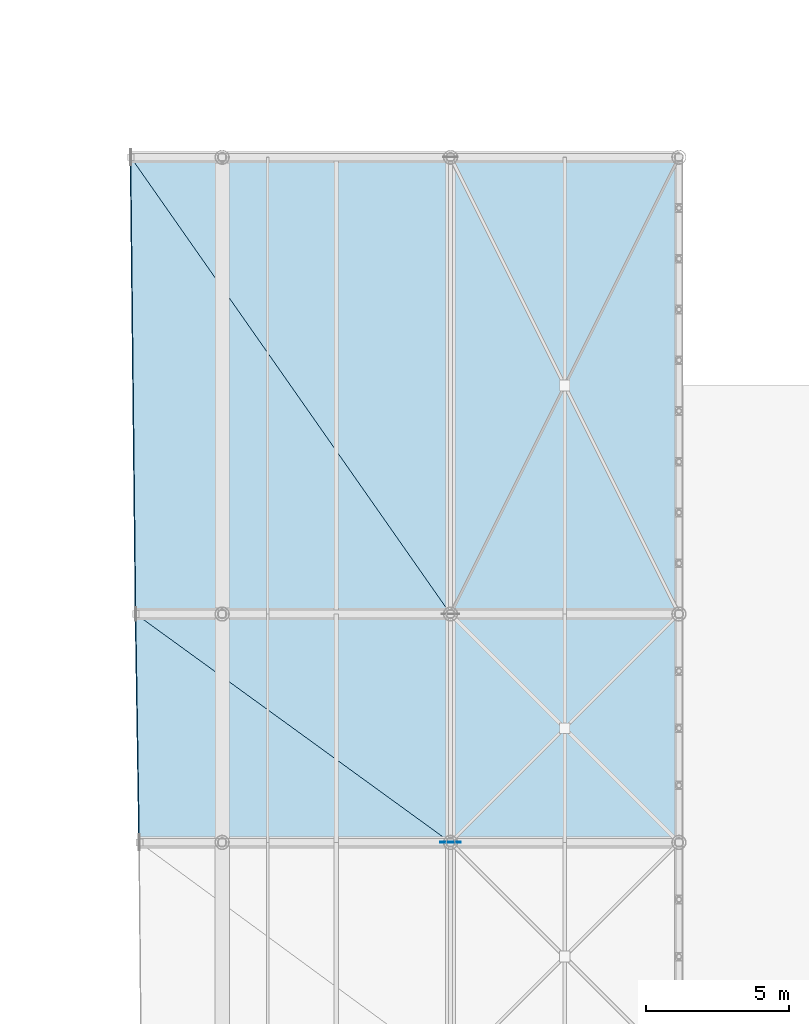
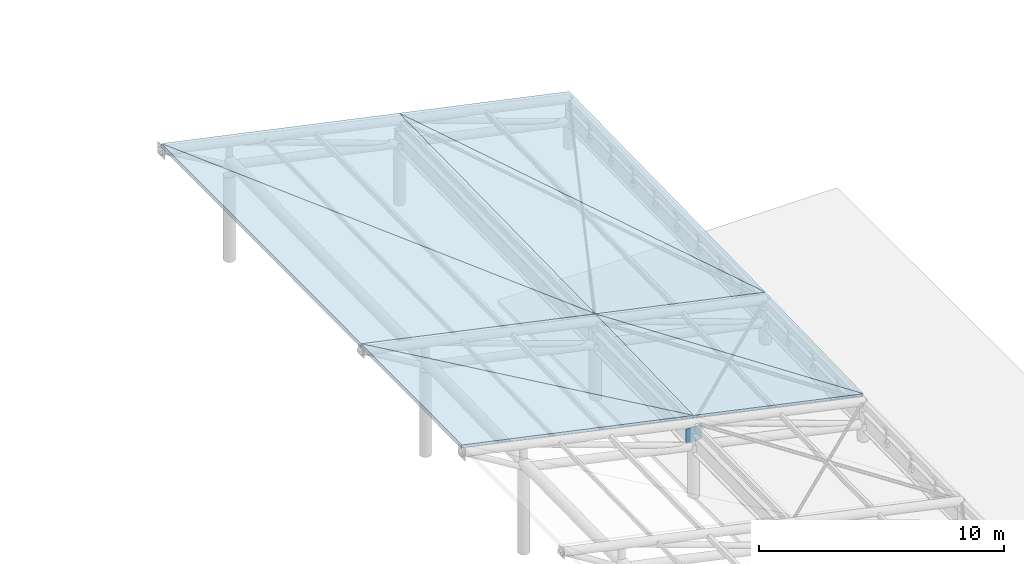
# One storey, part 27 of 41: 8 slabs, 1 plate.
"""IFC4 building model written with IfcOpenShell, lengths in metres."""

from ifc_helpers import new_model, si_unit, direction, frame, origin, origin_2d, place, context, subcontext, project, spatial, polyline, rectangle, outline, extrude, material, layer, layer_set, type_object, element, save


model = new_model("IFC4")

# Units and contexts
model_context = context("Model", 3, precision=1e-05, world=origin(), true_north=direction((0.0, 1.0)))
body_context = subcontext(model_context, "Body", "Model", "MODEL_VIEW")
ifc_project = project(units=[si_unit("LENGTHUNIT", "METRE"), si_unit("AREAUNIT", "SQUARE_METRE"), si_unit("VOLUMEUNIT", "CUBIC_METRE"), si_unit("PLANEANGLEUNIT", "RADIAN"), si_unit("MASSUNIT", "GRAM", prefix="KILO")], contexts=[model_context])

# Site, building, storey
site_placement = place(None, origin())
site = spatial("IfcSite", under=ifc_project, at=site_placement, CompositionType="ELEMENT")
building_placement = place(site_placement, origin())
building = spatial("IfcBuilding", under=site, at=building_placement, Name="Haebicheon Civic Stadium", CompositionType="ELEMENT")
storey_placement = place(building_placement, frame((0.0, 0.0, 27.0)))
storey = spatial("IfcBuildingStorey", under=building, at=storey_placement, Name="L07", CompositionType="ELEMENT", Elevation=27.0)

# Plate
ifc_material_1 = material(Name="White painted steel SM490", Category="steel")
ifc_layer_1 = layer(ifc_material_1, 0.031982421875, Name="White painted steel SM490")
ifc_layer_set_1 = layer_set([ifc_layer_1], Name="White painted steel SM490")
plate_type = type_object("IfcPlateType", Name="PLT-GUS-32", PredefinedType="USERDEFINED", material=ifc_layer_set_1)
plate_placement = place(storey_placement, frame((144.0, 112.0, 2.67724609375), z_axis=(0.0, 0.0, 1.0), x_axis=(1.0, 0.0, 0.0)))
element("IfcPlate", 1, at=plate_placement, inside=storey, type_object=plate_type, material=ifc_layer_set_1, Name="CAN-EAST heel node gusset plate KN-T07", ObjectType="GUSSET PLATE", PredefinedType="USERDEFINED", context=body_context, shape_type="SweptSolid", body=[
    extrude(rectangle(XDim=0.719970703125, YDim=0.031982421875, at=origin_2d()), origin(), (0.0, 0.0, 1.0), 0.719970703125),
])

# Slabs
ifc_material_2 = material(Name="White painted steel SM490", Category="steel")
ifc_layer_2 = layer(ifc_material_2, 0.159912109375, Name="White painted steel SM490")
ifc_layer_set_2 = layer_set([ifc_layer_2], Name="White painted steel SM490")
slab_type = type_object("IfcSlabType", Name="SLB-CAN-160", PredefinedType="ROOF", material=ifc_layer_set_2)
slab_1_placement = place(storey_placement, frame((152.0, 112.0, 2.2451171875), z_axis=(0.210126834549, -0.025143636838, 0.977350761461), x_axis=(-0.977659849808, 0.0, 0.210193287411)))
element("IfcSlab", 2, at=slab_1_placement, inside=storey, type_object=slab_type, material=ifc_layer_set_2, Name="CAN-EAST curled canopy facet 7.BS-A", PredefinedType="ROOF", context=body_context, shape_type="SweptSolid", body=[
    extrude(outline(polyline([(0.0, 0.0), (8.182805094807545, -1.3877787807814457e-17), (8.226065090239155, -8.002530009565739), (0.0, 0.0)])), origin(), (0.0, 0.0, -1.0), 0.159912109375),
])
slab_2_placement = place(storey_placement, frame((152.0, 112.0, 2.2451171875), z_axis=(0.210126834549, -0.025143636838, 0.977350761461), x_axis=(-0.697080389471, 0.697080389471, 0.167803042973)))
element("IfcSlab", 3, at=slab_2_placement, inside=storey, type_object=slab_type, material=ifc_layer_set_2, Name="CAN-EAST curled canopy facet 7.BS-B", PredefinedType="ROOF", context=body_context, shape_type="SweptSolid", body=[
    extrude(outline(polyline([(0.0, 0.0), (11.476438185380148, 1.1102230246251565e-16), (5.611178751806352, -5.705876882345246), (0.0, 0.0)])), origin(), (0.0, 0.0, -1.0), 0.159912109375),
])
slab_3_placement = place(storey_placement, frame((144.0, 112.0, 3.965087890625), z_axis=(0.210090559398, -0.025171905683, 0.977357832125), x_axis=(-0.977667618447, 0.0, 0.210157150343)))
element("IfcSlab", 4, at=slab_3_placement, inside=storey, type_object=slab_type, material=ifc_layer_set_2, Name="CAN-EAST curled canopy facet 7.CT-A", PredefinedType="ROOF", context=body_context, shape_type="SweptSolid", body=[
    extrude(outline(polyline([(0.0, 0.0), (11.14888346314058, -6.938893903907228e-18), (11.320039650169985, -8.002535704420564), (0.0, 0.0)])), origin(), (0.0, 0.0, -1.0), 0.159912109375),
])
slab_4_placement = place(storey_placement, frame((144.0, 112.0, 3.965087890625), z_axis=(0.210110188901, -0.025143728842, 0.977354337699), x_axis=(-0.795273072864, 0.577074007963, 0.185812617737)))
element("IfcSlab", 5, at=slab_4_placement, inside=storey, type_object=slab_type, material=ifc_layer_set_2, Name="CAN-EAST curled canopy facet 7.CT-B", PredefinedType="ROOF", context=body_context, shape_type="SweptSolid", body=[
    extrude(outline(polyline([(0.0, 0.0), (13.863039904073947, 1.2212453270876722e-15), (4.654834260179736, -6.509598758100376), (0.0, 0.0)])), origin(), (0.0, 0.0, -1.0), 0.159912109375),
])
slab_5_placement = place(storey_placement, frame((152.0, 120.0, 2.450927734375), z_axis=(0.210160507608, -0.017660045494, 0.977507383008), x_axis=(-0.977659849808, 0.0, 0.210193287411)))
element("IfcSlab", 6, at=slab_5_placement, inside=storey, type_object=slab_type, material=ifc_layer_set_2, Name="CAN-EAST curled canopy facet 8.BS-A", PredefinedType="ROOF", context=body_context, shape_type="SweptSolid", body=[
    extrude(outline(polyline([(0.0, 0.0), (8.182805094807545, 0.0), (8.243564091949924, -16.002495601410814), (0.0, 0.0)])), origin(), (0.0, 0.0, -1.0), 0.159912109375),
])
slab_6_placement = place(storey_placement, frame((152.0, 120.0, 2.450927734375), z_axis=(0.210160507608, -0.017660045494, 0.977507383008), x_axis=(-0.44441960811, 0.88883921622, 0.111606718602)))
element("IfcSlab", 7, at=slab_6_placement, inside=storey, type_object=slab_type, material=ifc_layer_set_2, Name="CAN-EAST curled canopy facet 8.BS-B", PredefinedType="ROOF", context=body_context, shape_type="SweptSolid", body=[
    extrude(outline(polyline([(0.0, 0.0), (18.001005927760225, -1.1102230246251565e-16), (14.25368877661402, -7.274332504658679), (0.0, 0.0)])), origin(), (0.0, 0.0, -1.0), 0.159912109375),
])
slab_7_placement = place(storey_placement, frame((144.0, 120.0, 4.1708984375), z_axis=(0.210143811895, -0.017672939558, 0.977510739342), x_axis=(-0.97766342944, 0.0, 0.210176636986)))
element("IfcSlab", 8, at=slab_7_placement, inside=storey, type_object=slab_type, material=ifc_layer_set_2, Name="CAN-EAST curled canopy facet 8.CT-A", PredefinedType="ROOF", context=body_context, shape_type="SweptSolid", body=[
    extrude(outline(polyline([(0.0, 0.0), (11.27678709436811, 0.0), (11.516633577725754, -16.002499247803897), (0.0, 0.0)])), origin(), (0.0, 0.0, -1.0), 0.159912109375),
])
slab_8_placement = place(storey_placement, frame((144.0, 120.0, 4.1708984375), z_axis=(0.210161383371, -0.017660042093, 0.977507194783), x_axis=(-0.568069785953, 0.811531803644, 0.136794919355)))
element("IfcSlab", 9, at=slab_8_placement, inside=storey, type_object=slab_type, material=ifc_layer_set_2, Name="CAN-EAST curled canopy facet 8.CT-B", PredefinedType="ROOF", context=body_context, shape_type="SweptSolid", body=[
    extrude(outline(polyline([(0.0, 0.0), (19.715801559651702, 1.1102230246251565e-16), (13.024051139687135, -9.298260538386764), (0.0, 0.0)])), origin(), (0.0, 0.0, -1.0), 0.159912109375),
])

save(model, "model.ifc")
